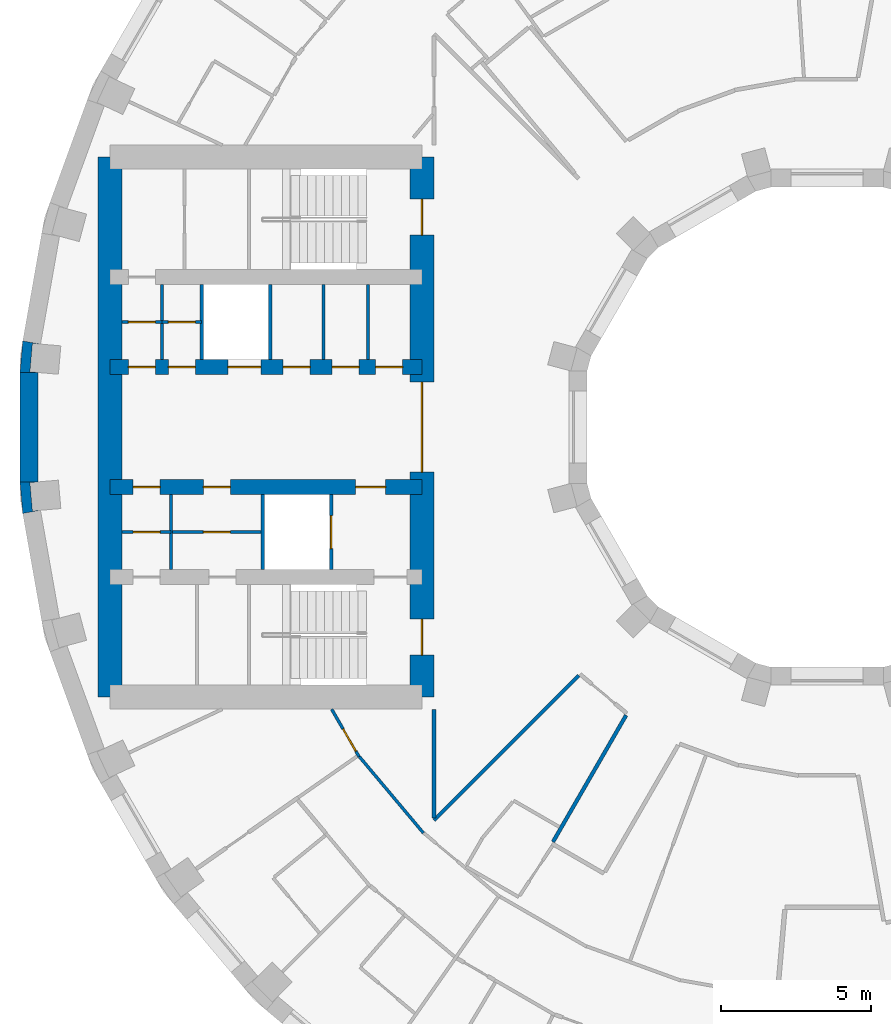
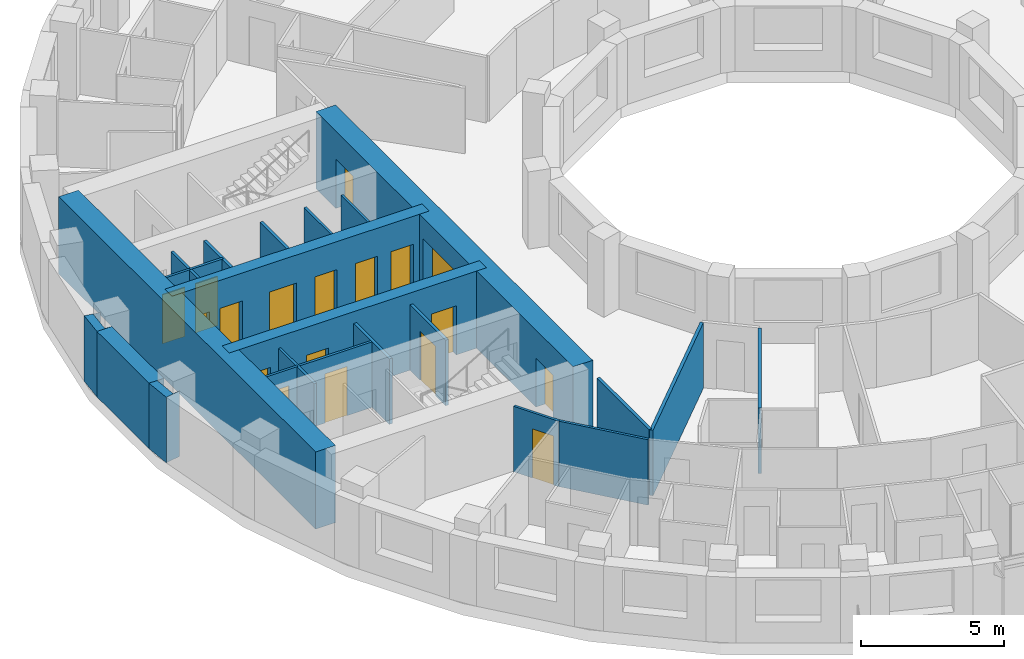
# One storey, part 7 of 16: 24 walls, 18 doors, 18 openings.
"""IFC4 building model written with IfcOpenShell, lengths in metres."""

from ifc_helpers import new_model, si_unit, direction, frame, frame_2d, origin, place, context, subcontext, project, spatial, polyline, rectangle, outline, extrude, material, layer, layer_set, type_object, element, fill, save


model = new_model("IFC4")

# Units and contexts
model_context = context("Model", 3, precision=1e-05, world=origin(), true_north=direction((0.0, 1.0)))
body_context = subcontext(model_context, "Body", "Model", "MODEL_VIEW")
ifc_project = project(units=[si_unit("LENGTHUNIT", "METRE"), si_unit("AREAUNIT", "SQUARE_METRE"), si_unit("VOLUMEUNIT", "CUBIC_METRE"), si_unit("PLANEANGLEUNIT", "RADIAN"), si_unit("MASSUNIT", "GRAM", prefix="KILO")], contexts=[model_context])

# Site, building, storey
site_placement = place(None, origin())
site = spatial("IfcSite", under=ifc_project, at=site_placement, CompositionType="ELEMENT")
building_placement = place(site_placement, origin())
building = spatial("IfcBuilding", under=site, at=building_placement, Name="Saqina Gate Tower", CompositionType="ELEMENT")
storey_placement = place(building_placement, frame((0.0, 0.0, 141.39990234375)))
storey = spatial("IfcBuildingStorey", under=building, at=storey_placement, Name="L40", CompositionType="ELEMENT", Elevation=141.39990234375)

# Walls
ifc_material_1 = material(Name="Brick masonry (buff)", Category="masonry")
wall_type_1 = type_object("IfcWallType", Name="BRICK PIER COPING BUFF", PredefinedType="SOLIDWALL", material=ifc_material_1)
wall_1_placement = place(storey_placement, origin())
element("IfcWall", 1, at=wall_1_placement, inside=storey, type_object=wall_type_1, Name="Pier cap L40 column 18", PredefinedType="SOLIDWALL", context=body_context, shape_type="SweptSolid", body=[
    extrude(outline(polyline([(-26.805419921875, 2.87451171875), (-26.897216796875, 1.823974609375), (-26.29736328125, 1.823974609375), (-26.565185546875, 1.847412109375), (-26.482421875, 2.793701171875), (-26.214599609375, 2.770263671875), (-26.805419921875, 2.87451171875)])), origin(), (0.0, 0.0, 1.0), 2.800048828125),
])
wall_2_placement = place(storey_placement, origin())
element("IfcWall", 2, at=wall_2_placement, inside=storey, type_object=wall_type_1, Name="Pier cap L40 column 19", PredefinedType="SOLIDWALL", context=body_context, shape_type="SweptSolid", body=[
    extrude(outline(polyline([(-26.805419921875, -2.87451171875), (-26.214599609375, -2.770263671875), (-26.482421875, -2.793701171875), (-26.565185546875, -1.847412109375), (-26.29736328125, -1.823974609375), (-26.897216796875, -1.823974609375), (-26.805419921875, -2.87451171875)])), origin(), (0.0, 0.0, 1.0), 2.800048828125),
])
ifc_material_2 = material(Name="Gypsum board on steel studs", Category="steel")
ifc_layer_1 = layer(ifc_material_2, 0.10009765625)
ifc_layer_set_1 = layer_set([ifc_layer_1], Name="CORE PARTITION")
wall_type_2 = type_object("IfcWallType", Name="CORE PARTITION", PredefinedType="PARTITIONING", material=ifc_layer_set_1)
for number, where, z_axis, x_axis, name in (
    (3, (-15.298095703125, 2.25, 0.0), (0.0, 0.0, 1.0), (0.0, 1.0, 0.0), "L40-CP-W01"),
    (4, (-16.789306640625, 2.25, 0.0), (0.0, 0.0, 1.0), (0.0, 1.0, 0.0), "L40-CP-W02"),
    (5, (-22.169921875, 2.25, 0.0), (0.0, 0.0, 1.0), (0.0, 1.0, 0.0), "L40-CP-W05"),
    (6, (-21.8583984375, -4.75, 0.0), (0.0, 0.0, 1.0), (0.0, 1.0, 0.0), "L40-CP-W08"),
):
    element("IfcWall", number, at=place(storey_placement, frame(where, z_axis=z_axis, x_axis=x_axis)), inside=storey, type_object=wall_type_2, Name=name, PredefinedType="PARTITIONING", context=body_context, shape_type="SweptSolid", body=[
        extrude(rectangle(XDim=2.5, YDim=0.10009765625, at=frame_2d((1.25, 0.0))), origin(), (0.0, 0.0, 1.0), 2.800048828125),
    ])

# Wall, opening, door
wall_3_placement = place(storey_placement, frame((-20.840087890625, 3.5, 0.0), z_axis=(0.0, 0.0, 1.0), x_axis=(-1.0, 0.0, 0.0)))
wall_3 = element("IfcWall", 7, at=wall_3_placement, inside=storey, type_object=wall_type_2, Name="L40-CP-W09", PredefinedType="PARTITIONING", context=body_context, shape_type="SweptSolid", body=[
    extrude(rectangle(XDim=1.329833984375, YDim=0.10009765625, at=frame_2d((0.6650390625, 0.0))), origin(), (0.0, 0.0, 1.0), 2.800048828125),
])
opening_1_placement = place(wall_3_placement, frame((0.215087890625, 0.0, 0.0)))
opening_1 = element("IfcOpeningElement", 8, at=opening_1_placement, cuts=wall_3, Name="Opening G12-D119", PredefinedType="OPENING", context=body_context, shape_type="SweptSolid", body=[
    extrude(rectangle(XDim=0.89990234375, YDim=2.10009765625, at=frame_2d((0.449951171875, 1.050048828125))), frame((0.0, 0.06201171875, 0.0), z_axis=(0.0, -1.0, 0.0), x_axis=(1.0, 0.0, 0.0)), (0.0, 0.0, 1.0), 0.1240234375),
])
ifc_material_3 = material(Name="Steel-framed fire door leaf, EI 60", Category="steel")
door_type_1 = type_object("IfcDoorType", Name="SERVICE ROOM DOOR 900", OperationType="SINGLE_SWING_LEFT", PredefinedType="DOOR", material=ifc_material_3)
door_1_placement = place(opening_1_placement, frame((0.89990234375, 0.0, 0.0), z_axis=(0.0, 0.0, 1.0), x_axis=(-1.0, 0.0, 0.0)))
door_1 = element("IfcDoor", 9, at=door_1_placement, inside=storey, type_object=door_type_1, Name="L40-CD-W30", OperationType="SINGLE_SWING_RIGHT", OverallHeight=2.10009765625, OverallWidth=0.89990234375, PredefinedType="DOOR", context=body_context, shape_type="SweptSolid", body=[
    extrude(rectangle(XDim=0.89990234375, YDim=2.10009765625, at=frame_2d((0.449951171875, 1.050048828125))), frame((0.0, 0.02490234375, 0.0), z_axis=(0.0, -1.0, 0.0), x_axis=(1.0, 0.0, 0.0)), (0.0, 0.0, 1.0), 0.050048828125),
])
fill(opening_1, door_1)

wall_4_placement = place(storey_placement, frame((-22.169921875, 3.5, 0.0), z_axis=(0.0, 0.0, 1.0), x_axis=(-1.0, 0.0, 0.0)))
wall_4 = element("IfcWall", 10, at=wall_4_placement, inside=storey, type_object=wall_type_2, Name="L40-CP-W10", PredefinedType="PARTITIONING", context=body_context, shape_type="SweptSolid", body=[
    extrude(rectangle(XDim=1.330078125, YDim=0.10009765625, at=frame_2d((0.6650390625, 0.0))), origin(), (0.0, 0.0, 1.0), 2.800048828125),
])
opening_2_placement = place(wall_4_placement, frame((0.215087890625, 0.0, 0.0)))
opening_2 = element("IfcOpeningElement", 11, at=opening_2_placement, cuts=wall_4, Name="Opening G12-D118", PredefinedType="OPENING", context=body_context, shape_type="SweptSolid", body=[
    extrude(rectangle(XDim=0.89990234375, YDim=2.10009765625, at=frame_2d((0.449951171875, 1.050048828125))), frame((0.0, 0.06201171875, 0.0), z_axis=(0.0, -1.0, 0.0), x_axis=(1.0, 0.0, 0.0)), (0.0, 0.0, 1.0), 0.1240234375),
])
door_2_placement = place(opening_2_placement, frame((0.89990234375, 0.0, 0.0), z_axis=(0.0, 0.0, 1.0), x_axis=(-1.0, 0.0, 0.0)))
door_2 = element("IfcDoor", 12, at=door_2_placement, inside=storey, type_object=door_type_1, Name="L40-CD-W29", OperationType="SINGLE_SWING_LEFT", OverallHeight=2.10009765625, OverallWidth=0.89990234375, PredefinedType="DOOR", context=body_context, shape_type="SweptSolid", body=[
    extrude(rectangle(XDim=0.89990234375, YDim=2.10009765625, at=frame_2d((0.449951171875, 1.050048828125))), frame((0.0, 0.02490234375, 0.0), z_axis=(0.0, -1.0, 0.0), x_axis=(1.0, 0.0, 0.0)), (0.0, 0.0, 1.0), 0.050048828125),
])
fill(opening_2, door_2)

wall_5_placement = place(storey_placement, frame((-18.81005859375, -3.5, 0.0), z_axis=(0.0, 0.0, 1.0), x_axis=(-1.0, 0.0, 0.0)))
wall_5 = element("IfcWall", 13, at=wall_5_placement, inside=storey, type_object=wall_type_2, Name="L40-CP-W11", PredefinedType="PARTITIONING", context=body_context, shape_type="SweptSolid", body=[
    extrude(rectangle(XDim=3.04833984375, YDim=0.10009765625, at=frame_2d((1.524169921875, 0.0))), origin(), (0.0, 0.0, 1.0), 2.800048828125),
])
opening_3_placement = place(wall_5_placement, frame((1.07421875, 0.0, 0.0)))
opening_3 = element("IfcOpeningElement", 14, at=opening_3_placement, cuts=wall_5, Name="Opening G12-D123", PredefinedType="OPENING", context=body_context, shape_type="SweptSolid", body=[
    extrude(rectangle(XDim=0.89990234375, YDim=2.10009765625, at=frame_2d((0.449951171875, 1.050048828125))), frame((0.0, 0.06201171875, 0.0), z_axis=(0.0, -1.0, 0.0), x_axis=(1.0, 0.0, 0.0)), (0.0, 0.0, 1.0), 0.1240234375),
])
door_3_placement = place(opening_3_placement, origin())
door_3 = element("IfcDoor", 15, at=door_3_placement, inside=storey, type_object=door_type_1, Name="L40-CD-W34", OperationType="SINGLE_SWING_LEFT", OverallHeight=2.10009765625, OverallWidth=0.89990234375, PredefinedType="DOOR", context=body_context, shape_type="SweptSolid", body=[
    extrude(rectangle(XDim=0.89990234375, YDim=2.10009765625, at=frame_2d((0.449951171875, 1.050048828125))), frame((0.0, 0.02490234375, 0.0), z_axis=(0.0, -1.0, 0.0), x_axis=(1.0, 0.0, 0.0)), (0.0, 0.0, 1.0), 0.050048828125),
])
fill(opening_3, door_3)

wall_6_placement = place(storey_placement, frame((-21.8583984375, -3.5, 0.0), z_axis=(0.0, 0.0, 1.0), x_axis=(-1.0, 0.0, 0.0)))
wall_6 = element("IfcWall", 16, at=wall_6_placement, inside=storey, type_object=wall_type_2, Name="L40-CP-W12", PredefinedType="PARTITIONING", context=body_context, shape_type="SweptSolid", body=[
    extrude(rectangle(XDim=1.6416015625, YDim=0.10009765625, at=frame_2d((0.82080078125, 0.0))), origin(), (0.0, 0.0, 1.0), 2.800048828125),
])
opening_4_placement = place(wall_6_placement, frame((0.370849609375, 0.0, 0.0)))
opening_4 = element("IfcOpeningElement", 17, at=opening_4_placement, cuts=wall_6, Name="Opening G12-D122", PredefinedType="OPENING", context=body_context, shape_type="SweptSolid", body=[
    extrude(rectangle(XDim=0.89990234375, YDim=2.10009765625, at=frame_2d((0.449951171875, 1.050048828125))), frame((0.0, 0.06201171875, 0.0), z_axis=(0.0, -1.0, 0.0), x_axis=(1.0, 0.0, 0.0)), (0.0, 0.0, 1.0), 0.1240234375),
])
door_4_placement = place(opening_4_placement, origin())
door_4 = element("IfcDoor", 18, at=door_4_placement, inside=storey, type_object=door_type_1, Name="L40-CD-W33", OperationType="SINGLE_SWING_RIGHT", OverallHeight=2.10009765625, OverallWidth=0.89990234375, PredefinedType="DOOR", context=body_context, shape_type="SweptSolid", body=[
    extrude(rectangle(XDim=0.89990234375, YDim=2.10009765625, at=frame_2d((0.449951171875, 1.050048828125))), frame((0.0, 0.02490234375, 0.0), z_axis=(0.0, -1.0, 0.0), x_axis=(1.0, 0.0, 0.0)), (0.0, 0.0, 1.0), 0.050048828125),
])
fill(opening_4, door_4)

# Wall
ifc_material_4 = material(Name="Glazed ceramic tile (dark blue)", Category="ceramic")
ifc_layer_2 = layer(ifc_material_4, 0.60009765625)
ifc_layer_set_2 = layer_set([ifc_layer_2], Name="FW-TILE-CB")
wall_type_3 = type_object("IfcWallType", Name="FW-TILE-CB", PredefinedType="SOLIDWALL", material=ifc_layer_set_2)
wall_7_placement = place(storey_placement, frame((-26.59716796875, 1.823974609375, 0.0), z_axis=(0.0, 0.0, 1.0), x_axis=(0.0, -1.0, 0.0)))
element("IfcWall", 19, at=wall_7_placement, inside=storey, type_object=wall_type_3, Name="Facade wall L40 facet 18", PredefinedType="SOLIDWALL", context=body_context, shape_type="SweptSolid", body=[
    extrude(rectangle(XDim=3.64794921875, YDim=0.60009765625, at=frame_2d((1.823974609375, 0.0))), origin(), (0.0, 0.0, 1.0), 2.800048828125),
])

# Wall, opening, door
ifc_material_5 = material(Name="Gypsum board on steel studs, 100 mm", Category="steel")
ifc_layer_3 = layer(ifc_material_5, 0.10009765625)
ifc_layer_set_3 = layer_set([ifc_layer_3], Name="PARTITION 100")
wall_type_4 = type_object("IfcWallType", Name="PARTITION 100", PredefinedType="PARTITIONING", material=ifc_layer_set_3)
wall_8_placement = place(storey_placement, frame((-16.510009765625, -9.39990234375, 0.0), z_axis=(0.0, 0.0, 1.0), x_axis=(0.499745582535, -0.866172241957, 0.0)))
wall_8 = element("IfcWall", 20, at=wall_8_placement, inside=storey, type_object=wall_type_4, Name="PARTITION PW3-11", PredefinedType="PARTITIONING", context=body_context, shape_type="SweptSolid", body=[
    extrude(rectangle(XDim=1.82763671875, YDim=0.10009765625, at=frame_2d((0.913818359375, 0.0))), origin(), (0.0, 0.0, 1.0), 2.800048828125),
])
opening_5_placement = place(wall_8_placement, frame((0.763427734375, 0.0, 0.0)))
opening_5 = element("IfcOpeningElement", 21, at=opening_5_placement, cuts=wall_8, Name="Opening G12-D32", PredefinedType="OPENING", context=body_context, shape_type="SweptSolid", body=[
    extrude(rectangle(XDim=0.85009765625, YDim=2.10009765625, at=frame_2d((0.425048828125, 1.050048828125))), frame((0.0, 0.06201171875, 0.0), z_axis=(0.0, -1.0, 0.0), x_axis=(1.0, 0.0, 0.0)), (0.0, 0.0, 1.0), 0.1240234375),
])
ifc_material_6 = material(Name="Timber door leaf, 850 mm", Category="wood")
door_type_2 = type_object("IfcDoorType", Name="DOOR 850 TIMBER", OperationType="SINGLE_SWING_LEFT", PredefinedType="DOOR", material=ifc_material_6)
door_5_placement = place(opening_5_placement, origin())
door_5 = element("IfcDoor", 22, at=door_5_placement, inside=storey, type_object=door_type_2, Name="DOOR G12-D32", OperationType="SINGLE_SWING_LEFT", OverallHeight=2.10009765625, OverallWidth=0.85009765625, PredefinedType="DOOR", context=body_context, shape_type="SweptSolid", body=[
    extrude(rectangle(XDim=0.85009765625, YDim=2.10009765625, at=frame_2d((0.425048828125, 1.050048828125))), frame((0.0, 0.02490234375, 0.0), z_axis=(0.0, -1.0, 0.0), x_axis=(1.0, 0.0, 0.0)), (0.0, 0.0, 1.0), 0.050048828125),
])
fill(opening_5, door_5)

# Walls
wall_9_placement = place(storey_placement, frame((-15.58984375, -10.977294921875, 0.0), z_axis=(0.0, 0.0, 1.0), x_axis=(0.642888943472, -0.765959402554, 0.0)))
element("IfcWall", 23, at=wall_9_placement, inside=storey, type_object=wall_type_4, Name="PARTITION PW3-18", PredefinedType="PARTITIONING", context=body_context, shape_type="SweptSolid", body=[
    extrude(rectangle(XDim=3.32470703125, YDim=0.10009765625, at=frame_2d((1.662353515625, 0.0))), origin(), (0.0, 0.0, 1.0), 2.800048828125),
])
ifc_material_7 = material(Name="Gypsum board on steel studs, 125 mm, fire rated", Category="steel")
ifc_layer_4 = layer(ifc_material_7, 0.125)
ifc_layer_set_4 = layer_set([ifc_layer_4], Name="PARTITION EI 30 125")
wall_type_5 = type_object("IfcWallType", Name="PARTITION EI 30 125", PredefinedType="PARTITIONING", material=ifc_layer_set_4)
wall_10_placement = place(storey_placement, frame((-13.097412109375, -13.096435546875, 0.0), z_axis=(0.0, 0.0, 1.0), x_axis=(0.707375421738, 0.706838038536, 0.0)))
element("IfcWall", 24, at=wall_10_placement, inside=storey, type_object=wall_type_5, Name="PARTITION PW1-48", PredefinedType="PARTITIONING", context=body_context, shape_type="SweptSolid", body=[
    extrude(rectangle(XDim=6.814697265625, YDim=0.125, at=frame_2d((3.4072265625, 0.0))), origin(), (0.0, 0.0, 1.0), 2.800048828125),
])
wall_11_placement = place(storey_placement, frame((-9.134765625, -13.82177734375, 0.0), z_axis=(0.0, 0.0, 1.0), x_axis=(0.500017246033, 0.866015446554, 0.0)))
element("IfcWall", 25, at=wall_11_placement, inside=storey, type_object=wall_type_5, Name="PARTITION PW1-54", PredefinedType="PARTITIONING", context=body_context, shape_type="SweptSolid", body=[
    extrude(rectangle(XDim=4.874755859375, YDim=0.125, at=frame_2d((2.4375, 0.0))), origin(), (0.0, 0.0, 1.0), 2.800048828125),
])
wall_12_placement = place(storey_placement, frame((-13.10009765625, -13.032470703125, 0.0), z_axis=(0.0, 0.0, 1.0), x_axis=(0.0, 1.0, 0.0)))
element("IfcWall", 26, at=wall_12_placement, inside=storey, type_object=wall_type_5, Name="PARTITION PW1-61", PredefinedType="PARTITIONING", context=body_context, shape_type="SweptSolid", body=[
    extrude(rectangle(XDim=3.631591796875, YDim=0.125, at=frame_2d((1.81591796875, 0.0))), origin(), (0.0, 0.0, 1.0), 2.800048828125),
])
ifc_material_8 = material(Name="Autoclaved aerated concrete block", Category="concrete")
ifc_layer_5 = layer(ifc_material_8, 0.1201171875)
ifc_layer_set_5 = layer_set([ifc_layer_5], Name="SHAFT PARTITION")
wall_type_6 = type_object("IfcWallType", Name="SHAFT PARTITION", PredefinedType="PARTITIONING", material=ifc_layer_set_5)
for number, where, z_axis, x_axis, name in (
    (27, (-18.56005859375, 2.25, 0.0), (0.0, 0.0, 1.0), (0.0, 1.0, 0.0), "L40-CP-W03"),
    (28, (-20.840087890625, 2.25, 0.0), (0.0, 0.0, 1.0), (0.0, 1.0, 0.0), "L40-CP-W04"),
):
    element("IfcWall", number, at=place(storey_placement, frame(where, z_axis=z_axis, x_axis=x_axis)), inside=storey, type_object=wall_type_6, Name=name, PredefinedType="PARTITIONING", context=body_context, shape_type="SweptSolid", body=[
        extrude(rectangle(XDim=2.5, YDim=0.1201171875, at=frame_2d((1.25, 0.0))), origin(), (0.0, 0.0, 1.0), 2.800048828125),
    ])

# Wall, opening, door
wall_13_placement = place(storey_placement, frame((-16.530029296875, -4.75, 0.0), z_axis=(0.0, 0.0, 1.0), x_axis=(0.0, 1.0, 0.0)))
wall_13 = element("IfcWall", 29, at=wall_13_placement, inside=storey, type_object=wall_type_6, Name="L40-CP-W06", PredefinedType="PARTITIONING", context=body_context, shape_type="SweptSolid", body=[
    extrude(rectangle(XDim=2.5, YDim=0.1201171875, at=frame_2d((1.25, 0.0))), origin(), (0.0, 0.0, 1.0), 2.800048828125),
])
opening_6_placement = place(wall_13_placement, frame((0.699951171875, 0.0, 0.0)))
opening_6 = element("IfcOpeningElement", 30, at=opening_6_placement, cuts=wall_13, Name="Opening G12-LD4", PredefinedType="OPENING", context=body_context, shape_type="SweptSolid", body=[
    extrude(rectangle(XDim=1.10009765625, YDim=2.10009765625, at=frame_2d((0.550048828125, 1.050048828125))), frame((0.0, 0.072021484375, 0.0), z_axis=(0.0, -1.0, 0.0), x_axis=(1.0, 0.0, 0.0)), (0.0, 0.0, 1.0), 0.14404296875),
])
ifc_material_9 = material(Name="Stainless steel", Category="steel")
door_type_3 = type_object("IfcDoorType", Name="LANDING DOOR", OperationType="DOUBLE_DOOR_SLIDING", PredefinedType="DOOR", material=ifc_material_9)
door_6_placement = place(opening_6_placement, origin())
door_6 = element("IfcDoor", 31, at=door_6_placement, inside=storey, type_object=door_type_3, Name="LANDING DOOR FF2", OperationType="DOUBLE_DOOR_SLIDING", OverallHeight=2.10009765625, OverallWidth=1.10009765625, PredefinedType="DOOR", context=body_context, shape_type="SweptSolid", body=[
    extrude(rectangle(XDim=1.10009765625, YDim=2.10009765625, at=frame_2d((0.550048828125, 1.050048828125))), frame((0.0, 0.02490234375, 0.0), z_axis=(0.0, -1.0, 0.0), x_axis=(1.0, 0.0, 0.0)), (0.0, 0.0, 1.0), 0.050048828125),
])
fill(opening_6, door_6)

# Wall
wall_14_placement = place(storey_placement, frame((-18.81005859375, -4.75, 0.0), z_axis=(0.0, 0.0, 1.0), x_axis=(0.0, 1.0, 0.0)))
element("IfcWall", 32, at=wall_14_placement, inside=storey, type_object=wall_type_6, Name="L40-CP-W07", PredefinedType="PARTITIONING", context=body_context, shape_type="SweptSolid", body=[
    extrude(rectangle(XDim=2.5, YDim=0.1201171875, at=frame_2d((1.25, 0.0))), origin(), (0.0, 0.0, 1.0), 2.800048828125),
])

# Wall, openings, doors
ifc_material_10 = material(Name="Concrete C70/85", Category="concrete")
ifc_layer_6 = layer(ifc_material_10, 0.5)
ifc_layer_set_6 = layer_set([ifc_layer_6], Name="Concrete C70/85")
wall_type_7 = type_object("IfcWallType", Name="STR-CORE WALL-B-I", PredefinedType="SHEAR", material=ifc_layer_set_6)
wall_15_placement = place(storey_placement, frame((-13.5, 2.0, 0.0), z_axis=(0.0, 0.0, 1.0), x_axis=(-1.0, 0.0, 0.0)))
wall_15 = element("IfcWall", 33, at=wall_15_placement, inside=storey, type_object=wall_type_7, Name="CORE WALL L40 W-L1", PredefinedType="SHEAR", context=body_context, shape_type="SweptSolid", body=[
    extrude(rectangle(XDim=10.39990234375, YDim=0.5, at=frame_2d((5.199951171875, 0.0))), origin(), (0.0, 0.0, 1.0), 3.300048828125),
])
opening_7_placement = place(wall_15_placement, frame((5.3701171875, 0.0, 0.0)))
opening_7 = element("IfcOpeningElement", 34, at=opening_7_placement, cuts=wall_15, Name="Opening G12-LD3", PredefinedType="OPENING", context=body_context, shape_type="SweptSolid", body=[
    extrude(rectangle(XDim=1.10009765625, YDim=2.10009765625, at=frame_2d((0.550048828125, 1.050048828125))), frame((0.0, 0.261962890625, 0.0), z_axis=(0.0, -1.0, 0.0), x_axis=(1.0, 0.0, 0.0)), (0.0, 0.0, 1.0), 0.52392578125),
])
opening_8_placement = place(wall_15_placement, frame((0.64892578125, 0.0, 0.0)))
opening_8 = element("IfcOpeningElement", 35, at=opening_8_placement, cuts=wall_15, Name="Opening G12-D110", PredefinedType="OPENING", context=body_context, shape_type="SweptSolid", body=[
    extrude(rectangle(XDim=0.89990234375, YDim=2.10009765625, at=frame_2d((0.449951171875, 1.050048828125))), frame((0.0, 0.261962890625, 0.0), z_axis=(0.0, -1.0, 0.0), x_axis=(1.0, 0.0, 0.0)), (0.0, 0.0, 1.0), 0.52392578125),
])
opening_9_placement = place(wall_15_placement, frame((2.093505859375, 0.0, 0.0)))
opening_9 = element("IfcOpeningElement", 36, at=opening_9_placement, cuts=wall_15, Name="Opening G12-D111", PredefinedType="OPENING", context=body_context, shape_type="SweptSolid", body=[
    extrude(rectangle(XDim=0.89990234375, YDim=2.10009765625, at=frame_2d((0.449951171875, 1.050048828125))), frame((0.0, 0.261962890625, 0.0), z_axis=(0.0, -1.0, 0.0), x_axis=(1.0, 0.0, 0.0)), (0.0, 0.0, 1.0), 0.52392578125),
])
opening_10_placement = place(wall_15_placement, frame((3.724609375, 0.0, 0.0)))
opening_10 = element("IfcOpeningElement", 37, at=opening_10_placement, cuts=wall_15, Name="Opening G12-D112", PredefinedType="OPENING", context=body_context, shape_type="SweptSolid", body=[
    extrude(rectangle(XDim=0.89990234375, YDim=2.10009765625, at=frame_2d((0.449951171875, 1.050048828125))), frame((0.0, 0.261962890625, 0.0), z_axis=(0.0, -1.0, 0.0), x_axis=(1.0, 0.0, 0.0)), (0.0, 0.0, 1.0), 0.52392578125),
])
opening_11_placement = place(wall_15_placement, frame((7.554931640625, 0.0, 0.0)))
opening_11 = element("IfcOpeningElement", 38, at=opening_11_placement, cuts=wall_15, Name="Opening G12-D113", PredefinedType="OPENING", context=body_context, shape_type="SweptSolid", body=[
    extrude(rectangle(XDim=0.89990234375, YDim=2.10009765625, at=frame_2d((0.449951171875, 1.050048828125))), frame((0.0, 0.261962890625, 0.0), z_axis=(0.0, -1.0, 0.0), x_axis=(1.0, 0.0, 0.0)), (0.0, 0.0, 1.0), 0.52392578125),
])
opening_12_placement = place(wall_15_placement, frame((8.885009765625, 0.0, 0.0)))
opening_12 = element("IfcOpeningElement", 39, at=opening_12_placement, cuts=wall_15, Name="Opening G12-D114", PredefinedType="OPENING", context=body_context, shape_type="SweptSolid", body=[
    extrude(rectangle(XDim=0.89990234375, YDim=2.10009765625, at=frame_2d((0.449951171875, 1.050048828125))), frame((0.0, 0.261962890625, 0.0), z_axis=(0.0, -1.0, 0.0), x_axis=(1.0, 0.0, 0.0)), (0.0, 0.0, 1.0), 0.52392578125),
])
door_7_placement = place(opening_7_placement, origin())
door_7 = element("IfcDoor", 40, at=door_7_placement, inside=storey, type_object=door_type_3, Name="LANDING DOOR MR2", OperationType="DOUBLE_DOOR_SLIDING", OverallHeight=2.10009765625, OverallWidth=1.10009765625, PredefinedType="DOOR", context=body_context, shape_type="SweptSolid", body=[
    extrude(rectangle(XDim=1.10009765625, YDim=2.10009765625, at=frame_2d((0.550048828125, 1.050048828125))), frame((0.0, 0.02490234375, 0.0), z_axis=(0.0, -1.0, 0.0), x_axis=(1.0, 0.0, 0.0)), (0.0, 0.0, 1.0), 0.050048828125),
])
fill(opening_7, door_7)
door_8_placement = place(opening_8_placement, frame((0.89990234375, 0.0, 0.0), z_axis=(0.0, 0.0, 1.0), x_axis=(-1.0, 0.0, 0.0)))
door_8 = element("IfcDoor", 41, at=door_8_placement, inside=storey, type_object=door_type_1, Name="L40-CD-W21", OperationType="SINGLE_SWING_RIGHT", OverallHeight=2.10009765625, OverallWidth=0.89990234375, PredefinedType="DOOR", context=body_context, shape_type="SweptSolid", body=[
    extrude(rectangle(XDim=0.89990234375, YDim=2.10009765625, at=frame_2d((0.449951171875, 1.050048828125))), frame((0.0, 0.02490234375, 0.0), z_axis=(0.0, -1.0, 0.0), x_axis=(1.0, 0.0, 0.0)), (0.0, 0.0, 1.0), 0.050048828125),
])
fill(opening_8, door_8)
door_9_placement = place(opening_9_placement, frame((0.89990234375, 0.0, 0.0), z_axis=(0.0, 0.0, 1.0), x_axis=(-1.0, 0.0, 0.0)))
door_9 = element("IfcDoor", 42, at=door_9_placement, inside=storey, type_object=door_type_1, Name="L40-CD-W22", OperationType="SINGLE_SWING_RIGHT", OverallHeight=2.10009765625, OverallWidth=0.89990234375, PredefinedType="DOOR", context=body_context, shape_type="SweptSolid", body=[
    extrude(rectangle(XDim=0.89990234375, YDim=2.10009765625, at=frame_2d((0.449951171875, 1.050048828125))), frame((0.0, 0.02490234375, 0.0), z_axis=(0.0, -1.0, 0.0), x_axis=(1.0, 0.0, 0.0)), (0.0, 0.0, 1.0), 0.050048828125),
])
fill(opening_9, door_9)
door_10_placement = place(opening_10_placement, frame((0.89990234375, 0.0, 0.0), z_axis=(0.0, 0.0, 1.0), x_axis=(-1.0, 0.0, 0.0)))
door_10 = element("IfcDoor", 43, at=door_10_placement, inside=storey, type_object=door_type_1, Name="L40-CD-W23", OperationType="SINGLE_SWING_LEFT", OverallHeight=2.10009765625, OverallWidth=0.89990234375, PredefinedType="DOOR", context=body_context, shape_type="SweptSolid", body=[
    extrude(rectangle(XDim=0.89990234375, YDim=2.10009765625, at=frame_2d((0.449951171875, 1.050048828125))), frame((0.0, 0.02490234375, 0.0), z_axis=(0.0, -1.0, 0.0), x_axis=(1.0, 0.0, 0.0)), (0.0, 0.0, 1.0), 0.050048828125),
])
fill(opening_10, door_10)
door_11_placement = place(opening_11_placement, frame((0.89990234375, 0.0, 0.0), z_axis=(0.0, 0.0, 1.0), x_axis=(-1.0, 0.0, 0.0)))
door_11 = element("IfcDoor", 44, at=door_11_placement, inside=storey, type_object=door_type_1, Name="L40-CD-W24", OperationType="SINGLE_SWING_RIGHT", OverallHeight=2.10009765625, OverallWidth=0.89990234375, PredefinedType="DOOR", context=body_context, shape_type="SweptSolid", body=[
    extrude(rectangle(XDim=0.89990234375, YDim=2.10009765625, at=frame_2d((0.449951171875, 1.050048828125))), frame((0.0, 0.02490234375, 0.0), z_axis=(0.0, -1.0, 0.0), x_axis=(1.0, 0.0, 0.0)), (0.0, 0.0, 1.0), 0.050048828125),
])
fill(opening_11, door_11)
door_12_placement = place(opening_12_placement, frame((0.89990234375, 0.0, 0.0), z_axis=(0.0, 0.0, 1.0), x_axis=(-1.0, 0.0, 0.0)))
door_12 = element("IfcDoor", 45, at=door_12_placement, inside=storey, type_object=door_type_1, Name="L40-CD-W25", OperationType="SINGLE_SWING_LEFT", OverallHeight=2.10009765625, OverallWidth=0.89990234375, PredefinedType="DOOR", context=body_context, shape_type="SweptSolid", body=[
    extrude(rectangle(XDim=0.89990234375, YDim=2.10009765625, at=frame_2d((0.449951171875, 1.050048828125))), frame((0.0, 0.02490234375, 0.0), z_axis=(0.0, -1.0, 0.0), x_axis=(1.0, 0.0, 0.0)), (0.0, 0.0, 1.0), 0.050048828125),
])
fill(opening_12, door_12)

wall_16_placement = place(storey_placement, frame((-13.5, -2.0, 0.0), z_axis=(0.0, 0.0, 1.0), x_axis=(-1.0, 0.0, 0.0)))
wall_16 = element("IfcWall", 46, at=wall_16_placement, inside=storey, type_object=wall_type_7, Name="CORE WALL L40 W-L2", PredefinedType="SHEAR", context=body_context, shape_type="SweptSolid", body=[
    extrude(rectangle(XDim=10.39990234375, YDim=0.5, at=frame_2d((5.199951171875, 0.0))), origin(), (0.0, 0.0, 1.0), 3.300048828125),
])
opening_13_placement = place(wall_16_placement, frame((1.215087890625, 0.0, 0.0)))
opening_13 = element("IfcOpeningElement", 47, at=opening_13_placement, cuts=wall_16, Name="Opening G12-D115", PredefinedType="OPENING", context=body_context, shape_type="SweptSolid", body=[
    extrude(rectangle(XDim=1.0, YDim=2.10009765625, at=frame_2d((0.5, 1.050048828125))), frame((0.0, 0.261962890625, 0.0), z_axis=(0.0, -1.0, 0.0), x_axis=(1.0, 0.0, 0.0)), (0.0, 0.0, 1.0), 0.52392578125),
])
opening_14_placement = place(wall_16_placement, frame((6.38427734375, 0.0, 0.0)))
opening_14 = element("IfcOpeningElement", 48, at=opening_14_placement, cuts=wall_16, Name="Opening G12-D116", PredefinedType="OPENING", context=body_context, shape_type="SweptSolid", body=[
    extrude(rectangle(XDim=0.89990234375, YDim=2.10009765625, at=frame_2d((0.449951171875, 1.050048828125))), frame((0.0, 0.261962890625, 0.0), z_axis=(0.0, -1.0, 0.0), x_axis=(1.0, 0.0, 0.0)), (0.0, 0.0, 1.0), 0.52392578125),
])
opening_15_placement = place(wall_16_placement, frame((8.729248046875, 0.0, 0.0)))
opening_15 = element("IfcOpeningElement", 49, at=opening_15_placement, cuts=wall_16, Name="Opening G12-D117", PredefinedType="OPENING", context=body_context, shape_type="SweptSolid", body=[
    extrude(rectangle(XDim=0.89990234375, YDim=2.10009765625, at=frame_2d((0.449951171875, 1.050048828125))), frame((0.0, 0.261962890625, 0.0), z_axis=(0.0, -1.0, 0.0), x_axis=(1.0, 0.0, 0.0)), (0.0, 0.0, 1.0), 0.52392578125),
])
ifc_material_11 = material(Name="Steel", Category="steel")
door_type_4 = type_object("IfcDoorType", Name="FIRE LOBBY DOOR EI 60", OperationType="SINGLE_SWING_LEFT", PredefinedType="DOOR", material=ifc_material_11)
door_13_placement = place(opening_13_placement, frame((1.0, 0.0, 0.0), z_axis=(0.0, 0.0, 1.0), x_axis=(-1.0, 0.0, 0.0)))
door_13 = element("IfcDoor", 50, at=door_13_placement, inside=storey, type_object=door_type_4, Name="L40-CD-W26", OperationType="SINGLE_SWING_RIGHT", OverallHeight=2.10009765625, OverallWidth=1.0, PredefinedType="DOOR", context=body_context, shape_type="SweptSolid", body=[
    extrude(rectangle(XDim=1.0, YDim=2.10009765625, at=frame_2d((0.5, 1.050048828125))), frame((0.0, 0.02490234375, 0.0), z_axis=(0.0, -1.0, 0.0), x_axis=(1.0, 0.0, 0.0)), (0.0, 0.0, 1.0), 0.050048828125),
])
fill(opening_13, door_13)
door_14_placement = place(opening_14_placement, origin())
door_14 = element("IfcDoor", 51, at=door_14_placement, inside=storey, type_object=door_type_1, Name="L40-CD-W27", OperationType="SINGLE_SWING_RIGHT", OverallHeight=2.10009765625, OverallWidth=0.89990234375, PredefinedType="DOOR", context=body_context, shape_type="SweptSolid", body=[
    extrude(rectangle(XDim=0.89990234375, YDim=2.10009765625, at=frame_2d((0.449951171875, 1.050048828125))), frame((0.0, 0.02490234375, 0.0), z_axis=(0.0, -1.0, 0.0), x_axis=(1.0, 0.0, 0.0)), (0.0, 0.0, 1.0), 0.050048828125),
])
fill(opening_14, door_14)
door_15_placement = place(opening_15_placement, origin())
door_15 = element("IfcDoor", 52, at=door_15_placement, inside=storey, type_object=door_type_1, Name="L40-CD-W28", OperationType="SINGLE_SWING_RIGHT", OverallHeight=2.10009765625, OverallWidth=0.89990234375, PredefinedType="DOOR", context=body_context, shape_type="SweptSolid", body=[
    extrude(rectangle(XDim=0.89990234375, YDim=2.10009765625, at=frame_2d((0.449951171875, 1.050048828125))), frame((0.0, 0.02490234375, 0.0), z_axis=(0.0, -1.0, 0.0), x_axis=(1.0, 0.0, 0.0)), (0.0, 0.0, 1.0), 0.050048828125),
])
fill(opening_15, door_15)

ifc_material_12 = material(Name="Concrete C70/85", Category="concrete")
ifc_layer_7 = layer(ifc_material_12, 0.800048828125)
ifc_layer_set_7 = layer_set([ifc_layer_7], Name="Concrete C70/85")
wall_type_8 = type_object("IfcWallType", Name="STR-CORE WALL-B-O", PredefinedType="SHEAR", material=ifc_layer_set_7)
wall_17_placement = place(storey_placement, frame((-13.5, -9.0, 0.0), z_axis=(0.0, 0.0, 1.0), x_axis=(0.0, 1.0, 0.0)))
wall_17 = element("IfcWall", 53, at=wall_17_placement, inside=storey, type_object=wall_type_8, Name="CORE WALL L40 W-W1", PredefinedType="SHEAR", context=body_context, shape_type="SweptSolid", body=[
    extrude(rectangle(XDim=18.0, YDim=0.800048828125, at=frame_2d((9.0, 0.0))), origin(), (0.0, 0.0, 1.0), 3.300048828125),
])
opening_16_placement = place(wall_17_placement, frame((15.39990234375, 0.0, 0.0)))
opening_16 = element("IfcOpeningElement", 54, at=opening_16_placement, cuts=wall_17, Name="Opening G12-D127", PredefinedType="OPENING", context=body_context, shape_type="SweptSolid", body=[
    extrude(rectangle(XDim=1.199951171875, YDim=2.10009765625, at=frame_2d((0.60009765625, 1.050048828125))), frame((0.0, 0.412109375, 0.0), z_axis=(0.0, -1.0, 0.0), x_axis=(1.0, 0.0, 0.0)), (0.0, 0.0, 1.0), 0.823974609375),
])
opening_17_placement = place(wall_17_placement, frame((1.39990234375, 0.0, 0.0)))
opening_17 = element("IfcOpeningElement", 55, at=opening_17_placement, cuts=wall_17, Name="Opening G12-D128", PredefinedType="OPENING", context=body_context, shape_type="SweptSolid", body=[
    extrude(rectangle(XDim=1.199951171875, YDim=2.10009765625, at=frame_2d((0.60009765625, 1.050048828125))), frame((0.0, 0.412109375, 0.0), z_axis=(0.0, -1.0, 0.0), x_axis=(1.0, 0.0, 0.0)), (0.0, 0.0, 1.0), 0.823974609375),
])
opening_18_placement = place(wall_17_placement, frame((7.5, 0.0, 0.0)))
opening_18 = element("IfcOpeningElement", 56, at=opening_18_placement, cuts=wall_17, Name="Opening G12-D129", PredefinedType="OPENING", context=body_context, shape_type="SweptSolid", body=[
    extrude(rectangle(XDim=3.0, YDim=2.39990234375, at=frame_2d((1.5, 1.199951171875))), frame((0.0, 0.412109375, 0.0), z_axis=(0.0, -1.0, 0.0), x_axis=(1.0, 0.0, 0.0)), (0.0, 0.0, 1.0), 0.823974609375),
])
ifc_material_13 = material(Name="Steel", Category="steel")
door_type_5 = type_object("IfcDoorType", Name="FIRE DOOR EI 60", OperationType="SINGLE_SWING_LEFT", PredefinedType="DOOR", material=ifc_material_13)
door_16_placement = place(opening_16_placement, origin())
door_16 = element("IfcDoor", 57, at=door_16_placement, inside=storey, type_object=door_type_5, Name="L40-CD-W38", OperationType="SINGLE_SWING_RIGHT", OverallHeight=2.10009765625, OverallWidth=1.199951171875, PredefinedType="DOOR", context=body_context, shape_type="SweptSolid", body=[
    extrude(rectangle(XDim=1.199951171875, YDim=2.10009765625, at=frame_2d((0.60009765625, 1.050048828125))), frame((0.0, 0.02490234375, 0.0), z_axis=(0.0, -1.0, 0.0), x_axis=(1.0, 0.0, 0.0)), (0.0, 0.0, 1.0), 0.050048828125),
])
fill(opening_16, door_16)
door_17_placement = place(opening_17_placement, origin())
door_17 = element("IfcDoor", 58, at=door_17_placement, inside=storey, type_object=door_type_5, Name="L40-CD-W39", OperationType="SINGLE_SWING_LEFT", OverallHeight=2.10009765625, OverallWidth=1.199951171875, PredefinedType="DOOR", context=body_context, shape_type="SweptSolid", body=[
    extrude(rectangle(XDim=1.199951171875, YDim=2.10009765625, at=frame_2d((0.60009765625, 1.050048828125))), frame((0.0, 0.02490234375, 0.0), z_axis=(0.0, -1.0, 0.0), x_axis=(1.0, 0.0, 0.0)), (0.0, 0.0, 1.0), 0.050048828125),
])
fill(opening_17, door_17)
ifc_material_14 = material(Name="Steel and fire-resisting glass", Category="steel")
door_type_6 = type_object("IfcDoorType", Name="LOBBY SCREEN DOOR", OperationType="DOUBLE_DOOR_SLIDING", PredefinedType="DOOR", material=ifc_material_14)
door_18_placement = place(opening_18_placement, origin())
door_18 = element("IfcDoor", 59, at=door_18_placement, inside=storey, type_object=door_type_6, Name="L40-CD-W40", OperationType="DOUBLE_DOOR_SLIDING", OverallHeight=2.39990234375, OverallWidth=3.0, PredefinedType="DOOR", context=body_context, shape_type="SweptSolid", body=[
    extrude(rectangle(XDim=3.0, YDim=2.39990234375, at=frame_2d((1.5, 1.199951171875))), frame((0.0, 0.02490234375, 0.0), z_axis=(0.0, -1.0, 0.0), x_axis=(1.0, 0.0, 0.0)), (0.0, 0.0, 1.0), 0.050048828125),
])
fill(opening_18, door_18)

# Wall
wall_18_placement = place(storey_placement, frame((-23.89990234375, -9.0, 0.0), z_axis=(0.0, 0.0, 1.0), x_axis=(0.0, 1.0, 0.0)))
element("IfcWall", 60, at=wall_18_placement, inside=storey, type_object=wall_type_8, Name="CORE WALL L40 W-W2", PredefinedType="SHEAR", context=body_context, shape_type="SweptSolid", body=[
    extrude(rectangle(XDim=18.0, YDim=0.800048828125, at=frame_2d((9.0, 0.0))), origin(), (0.0, 0.0, 1.0), 3.300048828125),
])

save(model, "model.ifc")
